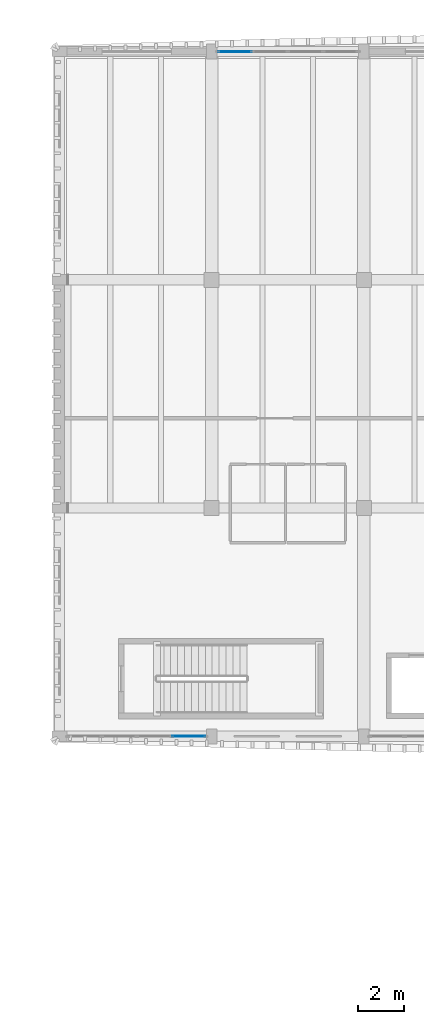
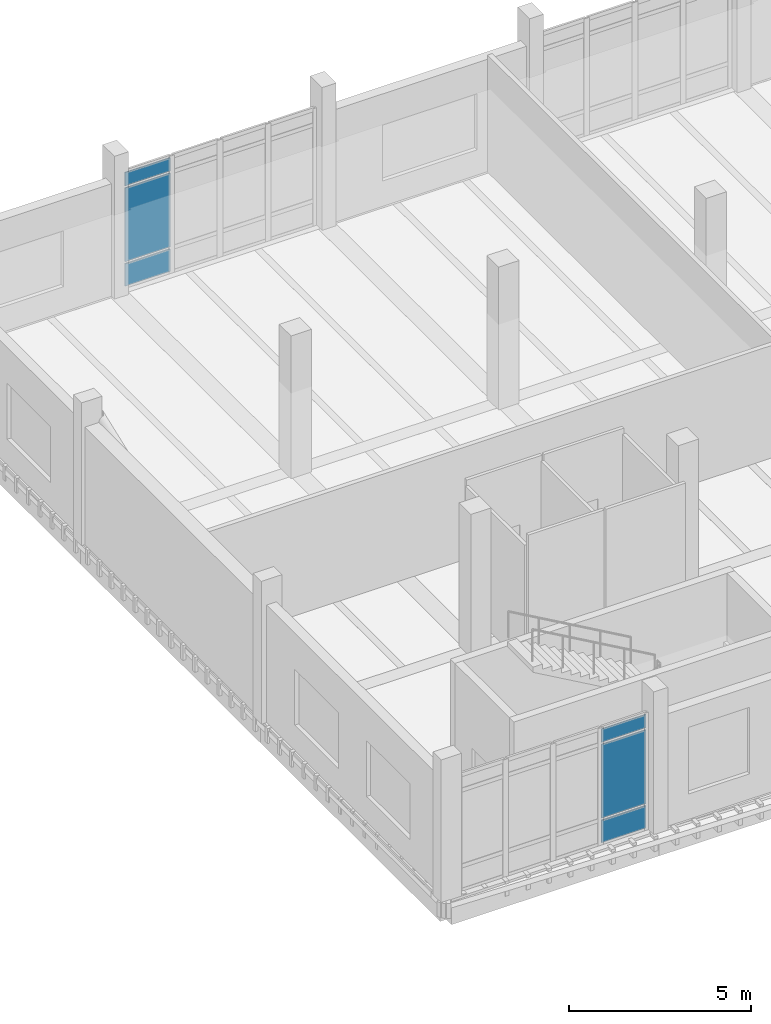
# One storey, part 21 of 50: 6 plates, 2 elements without a shape of their own.
"""IFC4 building model written with IfcOpenShell, lengths in metres."""

from ifc_helpers import new_model, si_unit, direction, frame, origin, origin_2d, place, context, subcontext, project, spatial, rectangle, extrude, material, layer, layer_set, type_object, element, aggregate, save


model = new_model("IFC4")

# Units and contexts
model_context = context("Model", 3, precision=1e-05, world=origin(), true_north=direction((0.0, 1.0)))
body_context = subcontext(model_context, "Body", "Model", "MODEL_VIEW")
ifc_project = project(units=[si_unit("LENGTHUNIT", "METRE"), si_unit("AREAUNIT", "SQUARE_METRE"), si_unit("VOLUMEUNIT", "CUBIC_METRE"), si_unit("PLANEANGLEUNIT", "RADIAN"), si_unit("MASSUNIT", "GRAM", prefix="KILO")], contexts=[model_context])

# Site, building, storey
site_placement = place(None, origin())
site = spatial("IfcSite", under=ifc_project, at=site_placement, CompositionType="ELEMENT")
building_placement = place(site_placement, origin())
building = spatial("IfcBuilding", under=site, at=building_placement, Name="Dornvale Research Institute", CompositionType="ELEMENT")
storey_placement = place(building_placement, frame((0.0, 0.0, 19.800048828125)))
storey = spatial("IfcBuildingStorey", under=building, at=storey_placement, Name="L04", CompositionType="ELEMENT", Elevation=19.800048828125)

# Curtain wall, plate
ifc_material_1 = material(Name="Low-E Argon Double Insulating Glazing Unit", Category="glass")
curtain_wall_type_1 = type_object("IfcCurtainWallType", Name="UnitisedCurtainWall_V4_6150x3950", PredefinedType="USERDEFINED", material=ifc_material_1)
curtain_wall_1_placement = place(storey_placement, origin())
curtain_wall_1 = element("IfcCurtainWall", 1, at=curtain_wall_1_placement, inside=storey, type_object=curtain_wall_type_1, Name="L04 V4 unitised curtain wall CW-15 #100", ObjectType="UNITISED CURTAIN WALL", PredefinedType="USERDEFINED")
ifc_material_2 = material(Name="Insulated Ceramic-Frit Spandrel Glass Panel", Category="glass")
ifc_layer_1 = layer(ifc_material_2, 0.0419921875)
ifc_layer_set_1 = layer_set([ifc_layer_1], Name="Insulated Ceramic-Frit Spandrel Glass Panel")
plate_type_1 = type_object("IfcPlateType", Name="CurtainPanel_Spandrel_42", PredefinedType="CURTAIN_PANEL", material=ifc_layer_set_1)
plate_1_placement = place(storey_placement, frame((126.409912109375, 122.10009765625, 0.06494140625), z_axis=(0.0, 0.0, 1.0), x_axis=(1.0, 0.0, 0.0)))
plate_1 = element("IfcPlate", 2, at=plate_1_placement, type_object=plate_type_1, Name="CW-15 panel 1.1", PredefinedType="CURTAIN_PANEL", context=body_context, shape_type="SweptSolid", body=[
    extrude(rectangle(XDim=1.43994140625, YDim=0.0419921875, at=origin_2d()), origin(), (0.0, 0.0, 1.0), 0.75244140625),
])

ifc_material_3 = material(Name="Low-E Argon Double Insulating Glazing Unit", Category="glass")
curtain_wall_type_2 = type_object("IfcCurtainWallType", Name="UnitisedCurtainWall_V4_6050x3950", PredefinedType="USERDEFINED", material=ifc_material_3)
curtain_wall_2_placement = place(storey_placement, origin())
curtain_wall_2 = element("IfcCurtainWall", 3, at=curtain_wall_2_placement, inside=storey, type_object=curtain_wall_type_2, Name="L04 V4 unitised curtain wall CW-18 #108", ObjectType="UNITISED CURTAIN WALL", PredefinedType="USERDEFINED")
plate_2_placement = place(storey_placement, frame((124.402587890625, 92.39990234375, 0.06494140625), z_axis=(0.0, 0.0, 1.0), x_axis=(-1.0, 0.0, 0.0)))
plate_2 = element("IfcPlate", 4, at=plate_2_placement, type_object=plate_type_1, Name="CW-18 panel 1.1", PredefinedType="CURTAIN_PANEL", context=body_context, shape_type="SweptSolid", body=[
    extrude(rectangle(XDim=1.4150390625, YDim=0.0419921875, at=origin_2d()), origin(), (0.0, 0.0, 1.0), 0.75244140625),
])

# Plate
ifc_material_4 = material(Name="Low-E Argon Double Insulating Glazing Unit", Category="glass")
ifc_layer_2 = layer(ifc_material_4, 0.028076171875)
ifc_layer_set_2 = layer_set([ifc_layer_2], Name="Low-E Argon Double Insulating Glazing Unit")
plate_type_2 = type_object("IfcPlateType", Name="CurtainPanel_Vision_28", PredefinedType="CURTAIN_PANEL", material=ifc_layer_set_2)
plate_3_placement = place(storey_placement, frame((126.409912109375, 122.10009765625, 0.88232421875), z_axis=(0.0, 0.0, 1.0), x_axis=(1.0, 0.0, 0.0)))
plate_3 = element("IfcPlate", 5, at=plate_3_placement, type_object=plate_type_2, Name="CW-15 panel 1.2", PredefinedType="CURTAIN_PANEL", context=body_context, shape_type="SweptSolid", body=[
    extrude(rectangle(XDim=1.43994140625, YDim=0.028076171875, at=origin_2d()), origin(), (0.0, 0.0, 1.0), 2.485107421875),
])

plate_4_placement = place(storey_placement, frame((126.409912109375, 122.10009765625, 3.4326171875), z_axis=(0.0, 0.0, 1.0), x_axis=(1.0, 0.0, 0.0)))
plate_4 = element("IfcPlate", 6, at=plate_4_placement, type_object=plate_type_2, Name="CW-15 panel 1.3", PredefinedType="CURTAIN_PANEL", context=body_context, shape_type="SweptSolid", body=[
    extrude(rectangle(XDim=1.43994140625, YDim=0.028076171875, at=origin_2d()), origin(), (0.0, 0.0, 1.0), 0.452392578125),
])

aggregate(curtain_wall_1, [plate_1, plate_3, plate_4])

plate_5_placement = place(storey_placement, frame((124.402587890625, 92.39990234375, 0.88232421875), z_axis=(0.0, 0.0, 1.0), x_axis=(-1.0, 0.0, 0.0)))
plate_5 = element("IfcPlate", 7, at=plate_5_placement, type_object=plate_type_2, Name="CW-18 panel 1.2", PredefinedType="CURTAIN_PANEL", context=body_context, shape_type="SweptSolid", body=[
    extrude(rectangle(XDim=1.4150390625, YDim=0.028076171875, at=origin_2d()), origin(), (0.0, 0.0, 1.0), 2.485107421875),
])

plate_6_placement = place(storey_placement, frame((124.402587890625, 92.39990234375, 3.4326171875), z_axis=(0.0, 0.0, 1.0), x_axis=(-1.0, 0.0, 0.0)))
plate_6 = element("IfcPlate", 8, at=plate_6_placement, type_object=plate_type_2, Name="CW-18 panel 1.3", PredefinedType="CURTAIN_PANEL", context=body_context, shape_type="SweptSolid", body=[
    extrude(rectangle(XDim=1.4150390625, YDim=0.028076171875, at=origin_2d()), origin(), (0.0, 0.0, 1.0), 0.452392578125),
])

aggregate(curtain_wall_2, [plate_2, plate_5, plate_6])

save(model, "model.ifc")
